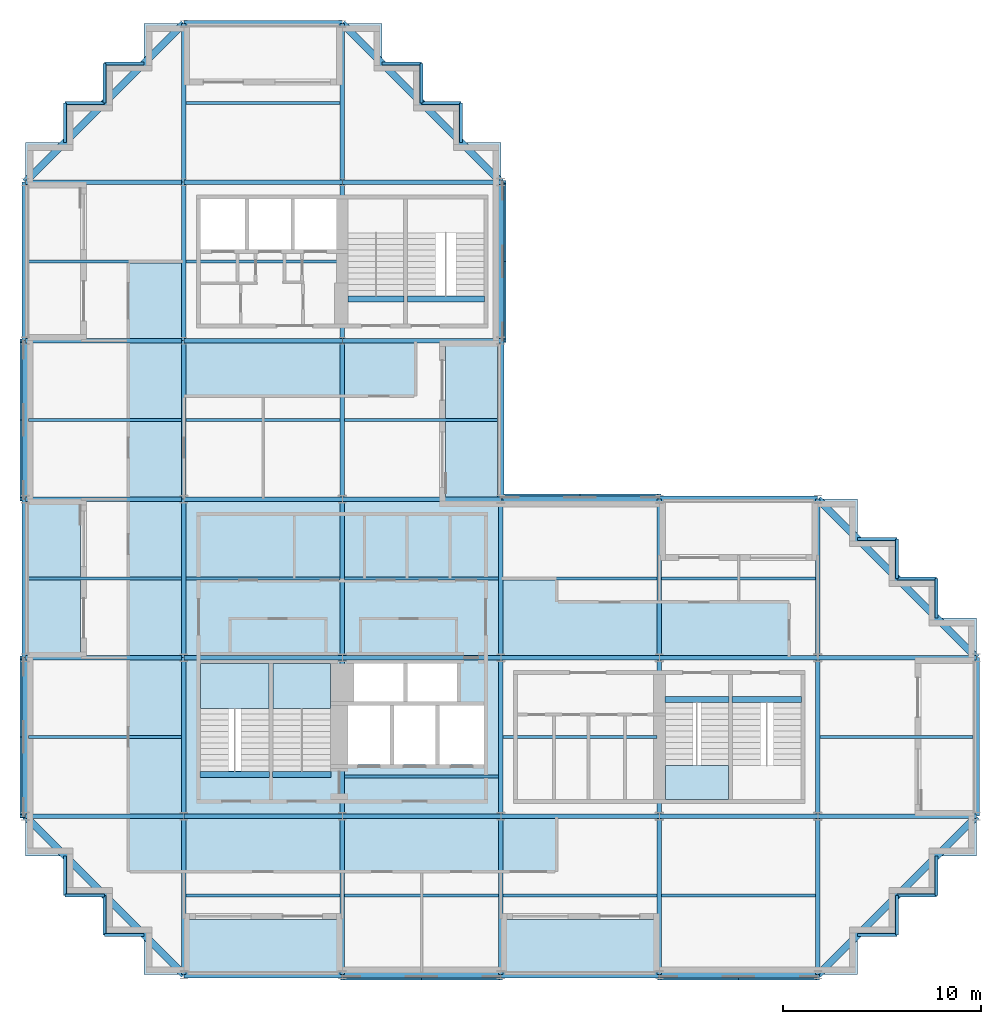
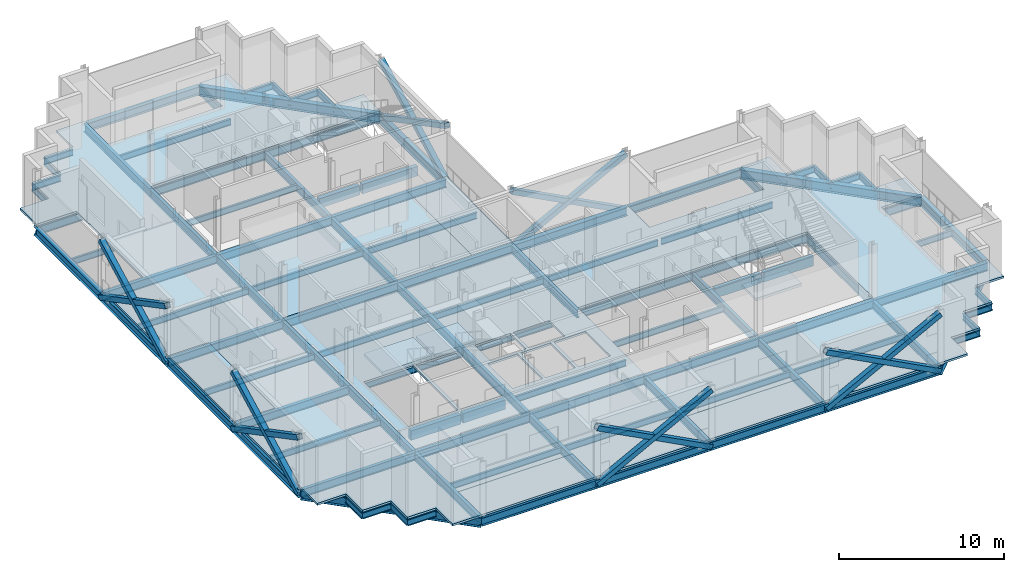
# One storey, part 3 of 10: 106 beams, 12 members, 9 slabs, 3 elements without a shape of their own.
"""IFC4 building model written with IfcOpenShell, lengths in metres."""

from ifc_helpers import new_model, si_unit, direction, frame, origin, origin_2d, place, context, subcontext, project, spatial, polyline, rectangle, hollow_rectangle, i_section, outline, extrude, material, layer, layer_set, material_profile, profile_set, type_object, element, aggregate, save


model = new_model("IFC4")

# Units and contexts
model_context = context("Model", 3, precision=1e-05, world=origin(), true_north=direction((0.0, 1.0)))
body_context = subcontext(model_context, "Body", "Model", "MODEL_VIEW")
ifc_project = project(units=[si_unit("LENGTHUNIT", "METRE"), si_unit("AREAUNIT", "SQUARE_METRE"), si_unit("VOLUMEUNIT", "CUBIC_METRE"), si_unit("PLANEANGLEUNIT", "RADIAN"), si_unit("MASSUNIT", "GRAM", prefix="KILO")], contexts=[model_context])

# Site, building, storey
site_placement = place(None, origin())
site = spatial("IfcSite", under=ifc_project, at=site_placement, CompositionType="ELEMENT")
building_placement = place(site_placement, origin())
building = spatial("IfcBuilding", under=site, at=building_placement, Name="Immortelle Media Tower", CompositionType="ELEMENT")
storey_placement = place(building_placement, frame((0.0, 0.0, 162.0)))
storey = spatial("IfcBuildingStorey", under=building, at=storey_placement, Name="L33", CompositionType="ELEMENT", Elevation=162.0)

# Members
ifc_material_1 = material(Name="Steel ASTM A500 Gr C", Category="steel")
ifc_material_profile_1 = material_profile(ifc_material_1, hollow_rectangle(XDim=0.35595703125, YDim=0.35595703125, WallThickness=0.011962890625, at=origin_2d()), Name="HSS14x14x1/2 brace")
ifc_profile_set_1 = profile_set([ifc_material_profile_1], Name="Steel ASTM A500 Gr C")
member_type = type_object("IfcMemberType", Name="HSS14x14x1/2 brace", PredefinedType="BRACE", material=ifc_profile_set_1)
for number, where, z_axis, x_axis, name in (
    (1, (16.0, -0.087890625, -0.4560546875), (0.885400126936, 0.0, 0.464829662588), (0.0, 1.0, 0.0), "Brace A/3-4 A"),
    (2, (16.0, -0.087890625, 3.743896484375), (0.885400126936, 0.0, -0.464829662588), (0.0, 1.0, 0.0), "Brace A/3-4 B"),
    (3, (32.0, -0.087890625, -0.4560546875), (0.885400126936, 0.0, 0.464829662588), (0.0, 1.0, 0.0), "Brace A/5-6 A"),
    (4, (32.0, -0.087890625, 3.743896484375), (0.885400126936, 0.0, -0.464829662588), (0.0, 1.0, 0.0), "Brace A/5-6 B"),
    (5, (32.0, 24.087890625, -0.4560546875), (-0.885400126936, 0.0, 0.464829662588), (0.0, -1.0, 0.0), "Brace D/4-5 A"),
    (6, (32.0, 24.087890625, 3.743896484375), (-0.885400126936, 0.0, -0.464829662588), (0.0, -1.0, 0.0), "Brace D/4-5 B"),
    (7, (24.087890625, 32.0, -0.4560546875), (0.0, 0.885400126936, 0.464829662588), (-1.0, 0.0, 0.0), "Brace 4/E-F A"),
    (8, (24.087890625, 32.0, 3.743896484375), (0.0, 0.885400126936, -0.464829662588), (-1.0, 0.0, 0.0), "Brace 4/E-F B"),
    (9, (-0.087890625, 32.0, -0.4560546875), (0.0, -0.885400126936, 0.464829662588), (1.0, 0.0, 0.0), "Brace 1/D-E A"),
    (10, (-0.087890625, 32.0, 3.743896484375), (0.0, -0.885400126936, -0.464829662588), (1.0, 0.0, 0.0), "Brace 1/D-E B"),
    (11, (-0.087890625, 16.0, -0.4560546875), (0.0, -0.885400126936, 0.464829662588), (1.0, 0.0, 0.0), "Brace 1/B-C A"),
    (12, (-0.087890625, 16.0, 3.743896484375), (0.0, -0.885400126936, -0.464829662588), (1.0, 0.0, 0.0), "Brace 1/B-C B"),
):
    element("IfcMember", number, at=place(storey_placement, frame(where, z_axis=z_axis, x_axis=x_axis)), inside=storey, type_object=member_type, Name=name, PredefinedType="BRACE", context=body_context, shape_type="SweptSolid", body=[
        extrude(hollow_rectangle(XDim=0.35595703125, YDim=0.35595703125, WallThickness=0.011962890625, at=origin_2d()), origin(), (0.0, 0.0, 1.0), 9.035400390625),
    ])

# Beams
ifc_material_2 = material(Name="Concrete C50/60", Category="concrete")
ifc_material_profile_2 = material_profile(ifc_material_2, rectangle(XDim=0.300048828125, YDim=0.699951171875, at=origin_2d()), Name="RC 300x700")
ifc_profile_set_2 = profile_set([ifc_material_profile_2], Name="Concrete C50/60")
beam_type_1 = type_object("IfcBeamType", Name="Stair trimmer beam 300 x 700", PredefinedType="BEAM", material=ifc_profile_set_2)
beam_1_placement = place(storey_placement, frame((8.830078125, 10.10498046875, -0.5), z_axis=(1.0, 0.0, 0.0), x_axis=(0.0, 1.0, 0.0)))
element("IfcBeam", 13, at=beam_1_placement, inside=storey, type_object=beam_type_1, Name="Stair trimmer beam SW1", PredefinedType="BEAM", context=body_context, shape_type="SweptSolid", body=[
    extrude(rectangle(XDim=0.300048828125, YDim=0.699951171875, at=origin_2d()), origin(), (0.0, 0.0, 1.0), 3.489990234375),
])
beam_2_placement = place(storey_placement, frame((12.47998046875, 10.10498046875, -0.5), z_axis=(1.0, 0.0, 0.0), x_axis=(0.0, 1.0, 0.0)))
element("IfcBeam", 14, at=beam_2_placement, inside=storey, type_object=beam_type_1, Name="Stair trimmer beam SW2", PredefinedType="BEAM", context=body_context, shape_type="SweptSolid", body=[
    extrude(rectangle(XDim=0.300048828125, YDim=0.699951171875, at=origin_2d()), origin(), (0.0, 0.0, 1.0), 2.93994140625),
])
beam_3_placement = place(storey_placement, frame((32.280029296875, 13.89501953125, -0.5), z_axis=(1.0, 0.0, 0.0), x_axis=(0.0, 1.0, 0.0)))
element("IfcBeam", 15, at=beam_3_placement, inside=storey, type_object=beam_type_1, Name="Stair trimmer beam SE1", PredefinedType="BEAM", context=body_context, shape_type="SweptSolid", body=[
    extrude(rectangle(XDim=0.300048828125, YDim=0.699951171875, at=origin_2d()), origin(), (0.0, 0.0, 1.0), 3.239990234375),
])
beam_4_placement = place(storey_placement, frame((35.679931640625, 13.89501953125, -0.5), z_axis=(1.0, 0.0, 0.0), x_axis=(0.0, 1.0, 0.0)))
element("IfcBeam", 16, at=beam_4_placement, inside=storey, type_object=beam_type_1, Name="Stair trimmer beam SE2", PredefinedType="BEAM", context=body_context, shape_type="SweptSolid", body=[
    extrude(rectangle(XDim=0.300048828125, YDim=0.699951171875, at=origin_2d()), origin(), (0.0, 0.0, 1.0), 3.489990234375),
])
beam_5_placement = place(storey_placement, frame((16.280029296875, 34.10498046875, -0.5), z_axis=(1.0, 0.0, 0.0), x_axis=(0.0, 1.0, 0.0)))
element("IfcBeam", 17, at=beam_5_placement, inside=storey, type_object=beam_type_1, Name="Stair trimmer beam NW1", PredefinedType="BEAM", context=body_context, shape_type="SweptSolid", body=[
    extrude(rectangle(XDim=0.300048828125, YDim=0.699951171875, at=origin_2d()), origin(), (0.0, 0.0, 1.0), 2.840087890625),
])
beam_6_placement = place(storey_placement, frame((19.280029296875, 34.10498046875, -0.5), z_axis=(1.0, 0.0, 0.0), x_axis=(0.0, 1.0, 0.0)))
element("IfcBeam", 18, at=beam_6_placement, inside=storey, type_object=beam_type_1, Name="Stair trimmer beam NW2", PredefinedType="BEAM", context=body_context, shape_type="SweptSolid", body=[
    extrude(rectangle(XDim=0.300048828125, YDim=0.699951171875, at=origin_2d()), origin(), (0.0, 0.0, 1.0), 3.889892578125),
])
ifc_material_3 = material(Name="Steel ASTM A992 Gr 50", Category="steel")
ifc_material_profile_3 = material_profile(ifc_material_3, i_section(OverallWidth=0.153076171875, OverallDepth=0.455078125, WebThickness=0.008056640625, FlangeThickness=0.012939453125, at=origin_2d()), Name="W18x40")
ifc_profile_set_3 = profile_set([ifc_material_profile_3], Name="Steel ASTM A992 Gr 50")
beam_type_2 = type_object("IfcBeamType", Name="W18x40 secondary beam", PredefinedType="JOIST", material=ifc_profile_set_3)
for number, where, z_axis, x_axis, name in (
    (19, (8.114013671875, 4.0, -0.37744140625), (1.0, 0.0, 0.0), (0.0, 1.0, 0.0), "Beam A-B/2-3"),
    (20, (16.114013671875, 4.0, -0.37744140625), (1.0, 0.0, 0.0), (0.0, 1.0, 0.0), "Beam A-B/3-4"),
    (21, (24.114013671875, 4.0, -0.37744140625), (1.0, 0.0, 0.0), (0.0, 1.0, 0.0), "Beam A-B/4-5"),
    (22, (32.114013671875, 4.0, -0.37744140625), (1.0, 0.0, 0.0), (0.0, 1.0, 0.0), "Beam A-B/5-6"),
):
    element("IfcBeam", number, at=place(storey_placement, frame(where, z_axis=z_axis, x_axis=x_axis)), inside=storey, type_object=beam_type_2, Name=name, PredefinedType="JOIST", context=body_context, shape_type="SweptSolid", body=[
        extrude(i_section(OverallWidth=0.153076171875, OverallDepth=0.455078125, WebThickness=0.008056640625, FlangeThickness=0.012939453125, at=origin_2d()), origin(), (0.0, 0.0, 1.0), 7.77197265625),
    ])
beam_7_placement = place(storey_placement, frame((0.162109375, 12.0, -0.37744140625), z_axis=(1.0, 0.0, 0.0), x_axis=(0.0, 1.0, 0.0)))
element("IfcBeam", 23, at=beam_7_placement, inside=storey, type_object=beam_type_2, Name="Beam B-C/1-2", PredefinedType="JOIST", context=body_context, shape_type="SweptSolid", body=[
    extrude(i_section(OverallWidth=0.153076171875, OverallDepth=0.455078125, WebThickness=0.008056640625, FlangeThickness=0.012939453125, at=origin_2d()), origin(), (0.0, 0.0, 1.0), 7.723876953125),
])
for number, where, z_axis, x_axis, name in (
    (24, (16.114013671875, 10.0, -0.37744140625), (1.0, 0.0, 0.0), (0.0, 1.0, 0.0), "Beam B-C/3-4"),
    (25, (24.114013671875, 12.0, -0.37744140625), (1.0, 0.0, 0.0), (0.0, 1.0, 0.0), "Beam B-C/4-5"),
):
    element("IfcBeam", number, at=place(storey_placement, frame(where, z_axis=z_axis, x_axis=x_axis)), inside=storey, type_object=beam_type_2, Name=name, PredefinedType="JOIST", context=body_context, shape_type="SweptSolid", body=[
        extrude(i_section(OverallWidth=0.153076171875, OverallDepth=0.455078125, WebThickness=0.008056640625, FlangeThickness=0.012939453125, at=origin_2d()), origin(), (0.0, 0.0, 1.0), 7.77197265625),
    ])
for number, where, z_axis, x_axis, name in (
    (26, (40.114013671875, 12.0, -0.37744140625), (1.0, 0.0, 0.0), (0.0, 1.0, 0.0), "Beam B-C/6-7"),
    (27, (0.162109375, 20.0, -0.37744140625), (1.0, 0.0, 0.0), (0.0, 1.0, 0.0), "Beam C-D/1-2"),
):
    element("IfcBeam", number, at=place(storey_placement, frame(where, z_axis=z_axis, x_axis=x_axis)), inside=storey, type_object=beam_type_2, Name=name, PredefinedType="JOIST", context=body_context, shape_type="SweptSolid", body=[
        extrude(i_section(OverallWidth=0.153076171875, OverallDepth=0.455078125, WebThickness=0.008056640625, FlangeThickness=0.012939453125, at=origin_2d()), origin(), (0.0, 0.0, 1.0), 7.723876953125),
    ])
for number, where, z_axis, x_axis, name in (
    (28, (8.114013671875, 20.0, -0.37744140625), (1.0, 0.0, 0.0), (0.0, 1.0, 0.0), "Beam C-D/2-3"),
    (29, (16.114013671875, 20.0, -0.37744140625), (1.0, 0.0, 0.0), (0.0, 1.0, 0.0), "Beam C-D/3-4"),
    (30, (24.114013671875, 20.0, -0.37744140625), (1.0, 0.0, 0.0), (0.0, 1.0, 0.0), "Beam C-D/4-5"),
    (31, (32.114013671875, 20.0, -0.37744140625), (1.0, 0.0, 0.0), (0.0, 1.0, 0.0), "Beam C-D/5-6"),
):
    element("IfcBeam", number, at=place(storey_placement, frame(where, z_axis=z_axis, x_axis=x_axis)), inside=storey, type_object=beam_type_2, Name=name, PredefinedType="JOIST", context=body_context, shape_type="SweptSolid", body=[
        extrude(i_section(OverallWidth=0.153076171875, OverallDepth=0.455078125, WebThickness=0.008056640625, FlangeThickness=0.012939453125, at=origin_2d()), origin(), (0.0, 0.0, 1.0), 7.77197265625),
    ])
beam_8_placement = place(storey_placement, frame((0.162109375, 28.0, -0.37744140625), z_axis=(1.0, 0.0, 0.0), x_axis=(0.0, 1.0, 0.0)))
element("IfcBeam", 32, at=beam_8_placement, inside=storey, type_object=beam_type_2, Name="Beam D-E/1-2", PredefinedType="JOIST", context=body_context, shape_type="SweptSolid", body=[
    extrude(i_section(OverallWidth=0.153076171875, OverallDepth=0.455078125, WebThickness=0.008056640625, FlangeThickness=0.012939453125, at=origin_2d()), origin(), (0.0, 0.0, 1.0), 7.723876953125),
])
beam_9_placement = place(storey_placement, frame((8.114013671875, 28.0, -0.37744140625), z_axis=(1.0, 0.0, 0.0), x_axis=(0.0, 1.0, 0.0)))
element("IfcBeam", 33, at=beam_9_placement, inside=storey, type_object=beam_type_2, Name="Beam D-E/2-3", PredefinedType="JOIST", context=body_context, shape_type="SweptSolid", body=[
    extrude(i_section(OverallWidth=0.153076171875, OverallDepth=0.455078125, WebThickness=0.008056640625, FlangeThickness=0.012939453125, at=origin_2d()), origin(), (0.0, 0.0, 1.0), 7.77197265625),
])
for number, where, z_axis, x_axis, name in (
    (34, (16.114013671875, 28.0, -0.37744140625), (1.0, 0.0, 0.0), (0.0, 1.0, 0.0), "Beam D-E/3-4"),
    (35, (0.162109375, 36.0, -0.37744140625), (1.0, 0.0, 0.0), (0.0, 1.0, 0.0), "Beam E-F/1-2"),
):
    element("IfcBeam", number, at=place(storey_placement, frame(where, z_axis=z_axis, x_axis=x_axis)), inside=storey, type_object=beam_type_2, Name=name, PredefinedType="JOIST", context=body_context, shape_type="SweptSolid", body=[
        extrude(i_section(OverallWidth=0.153076171875, OverallDepth=0.455078125, WebThickness=0.008056640625, FlangeThickness=0.012939453125, at=origin_2d()), origin(), (0.0, 0.0, 1.0), 7.723876953125),
    ])
for number, where, z_axis, x_axis, name in (
    (36, (8.114013671875, 36.0, -0.37744140625), (1.0, 0.0, 0.0), (0.0, 1.0, 0.0), "Beam E-F/2-3"),
    (37, (8.114013671875, 44.0, -0.37744140625), (1.0, 0.0, 0.0), (0.0, 1.0, 0.0), "Beam F-G/2-3"),
):
    element("IfcBeam", number, at=place(storey_placement, frame(where, z_axis=z_axis, x_axis=x_axis)), inside=storey, type_object=beam_type_2, Name=name, PredefinedType="JOIST", context=body_context, shape_type="SweptSolid", body=[
        extrude(i_section(OverallWidth=0.153076171875, OverallDepth=0.455078125, WebThickness=0.008056640625, FlangeThickness=0.012939453125, at=origin_2d()), origin(), (0.0, 0.0, 1.0), 7.77197265625),
    ])
ifc_material_profile_4 = material_profile(ifc_material_3, i_section(OverallWidth=0.153076171875, OverallDepth=0.455078125, WebThickness=0.008056640625, FlangeThickness=0.012939453125, at=origin_2d()), Name="W18x40")
ifc_profile_set_4 = profile_set([ifc_material_profile_4], Name="Steel ASTM A992 Gr 50")
beam_type_3 = type_object("IfcBeamType", Name="W18x40 serration edge beam", PredefinedType="SPANDREL", material=ifc_profile_set_4)
for number, where, z_axis, x_axis, name in (
    (38, (6.0, 2.0, -0.37744140625), (-1.0, 0.0, 0.0), (0.0, -1.0, 0.0), "Corner edge beam 1 at 1/A"),
    (39, (4.0, 2.0, -0.37744140625), (0.0, 1.0, 0.0), (-1.0, 0.0, 0.0), "Corner edge beam 2 at 1/A"),
    (40, (4.0, 4.0, -0.37744140625), (-1.0, 0.0, 0.0), (0.0, -1.0, 0.0), "Corner edge beam 3 at 1/A"),
    (41, (2.0, 4.0, -0.37744140625), (0.0, 1.0, 0.0), (-1.0, 0.0, 0.0), "Corner edge beam 4 at 1/A"),
    (42, (2.0, 42.0, -0.37744140625), (0.0, 1.0, 0.0), (-1.0, 0.0, 0.0), "Corner edge beam 1 at 1/G"),
    (43, (2.0, 44.0, -0.37744140625), (1.0, 0.0, 0.0), (0.0, 1.0, 0.0), "Corner edge beam 2 at 1/G"),
    (44, (4.0, 44.0, -0.37744140625), (0.0, 1.0, 0.0), (-1.0, 0.0, 0.0), "Corner edge beam 3 at 1/G"),
    (45, (4.0, 46.0, -0.37744140625), (1.0, 0.0, 0.0), (0.0, 1.0, 0.0), "Corner edge beam 4 at 1/G"),
    (46, (18.0, 46.0, -0.37744140625), (1.0, 0.0, 0.0), (0.0, 1.0, 0.0), "Corner edge beam 1 at 4/G"),
    (47, (20.0, 46.0, -0.37744140625), (0.0, -1.0, 0.0), (1.0, 0.0, 0.0), "Corner edge beam 2 at 4/G"),
    (48, (20.0, 44.0, -0.37744140625), (1.0, 0.0, 0.0), (0.0, 1.0, 0.0), "Corner edge beam 3 at 4/G"),
    (49, (22.0, 44.0, -0.37744140625), (0.0, -1.0, 0.0), (1.0, 0.0, 0.0), "Corner edge beam 4 at 4/G"),
    (50, (46.0, 6.0, -0.37744140625), (0.0, -1.0, 0.0), (1.0, 0.0, 0.0), "Corner edge beam 1 at 7/A"),
    (51, (46.0, 4.0, -0.37744140625), (-1.0, 0.0, 0.0), (0.0, -1.0, 0.0), "Corner edge beam 2 at 7/A"),
    (52, (44.0, 4.0, -0.37744140625), (0.0, -1.0, 0.0), (1.0, 0.0, 0.0), "Corner edge beam 3 at 7/A"),
    (53, (44.0, 2.0, -0.37744140625), (-1.0, 0.0, 0.0), (0.0, -1.0, 0.0), "Corner edge beam 4 at 7/A"),
    (54, (42.0, 22.0, -0.37744140625), (1.0, 0.0, 0.0), (0.0, 1.0, 0.0), "Corner edge beam 1 at 7/D"),
    (55, (44.0, 22.0, -0.37744140625), (0.0, -1.0, 0.0), (1.0, 0.0, 0.0), "Corner edge beam 2 at 7/D"),
    (56, (44.0, 20.0, -0.37744140625), (1.0, 0.0, 0.0), (0.0, 1.0, 0.0), "Corner edge beam 3 at 7/D"),
    (57, (46.0, 20.0, -0.37744140625), (0.0, -1.0, 0.0), (1.0, 0.0, 0.0), "Corner edge beam 4 at 7/D"),
):
    element("IfcBeam", number, at=place(storey_placement, frame(where, z_axis=z_axis, x_axis=x_axis)), inside=storey, type_object=beam_type_3, Name=name, PredefinedType="SPANDREL", context=body_context, shape_type="SweptSolid", body=[
        extrude(i_section(OverallWidth=0.153076171875, OverallDepth=0.455078125, WebThickness=0.008056640625, FlangeThickness=0.012939453125, at=origin_2d()), origin(), (0.0, 0.0, 1.0), 2.0),
    ])
ifc_material_profile_5 = material_profile(ifc_material_3, i_section(OverallWidth=0.323974609375, OverallDepth=0.612060546875, WebThickness=0.012939453125, FlangeThickness=0.01904296875, at=origin_2d()), Name="W24x104")
ifc_profile_set_5 = profile_set([ifc_material_profile_5], Name="Steel ASTM A992 Gr 50")
beam_type_4 = type_object("IfcBeamType", Name="W24x104 perimeter girder", PredefinedType="SPANDREL", material=ifc_profile_set_5)
for number, where, z_axis, x_axis, name in (
    (58, (0.0, 8.0, -0.4560546875), (0.0, 1.0, 0.0), (-1.0, 0.0, 0.0), "Girder 1/B-C"),
    (59, (0.0, 16.0, -0.4560546875), (0.0, 1.0, 0.0), (-1.0, 0.0, 0.0), "Girder 1/C-D"),
    (60, (0.0, 24.0, -0.4560546875), (0.0, 1.0, 0.0), (-1.0, 0.0, 0.0), "Girder 1/D-E"),
    (61, (0.0, 32.0, -0.4560546875), (0.0, 1.0, 0.0), (-1.0, 0.0, 0.0), "Girder 1/E-F"),
    (62, (8.0, 0.0, -0.4560546875), (1.0, 0.0, 0.0), (0.0, 1.0, 0.0), "Girder A/2-3"),
    (63, (8.0, 48.0, -0.4560546875), (1.0, 0.0, 0.0), (0.0, 1.0, 0.0), "Girder G/2-3"),
    (64, (16.0, 0.0, -0.4560546875), (1.0, 0.0, 0.0), (0.0, 1.0, 0.0), "Girder A/3-4"),
    (65, (24.0, 0.0, -0.4560546875), (1.0, 0.0, 0.0), (0.0, 1.0, 0.0), "Girder A/4-5"),
    (66, (24.0, 24.0, -0.4560546875), (1.0, 0.0, 0.0), (0.0, 1.0, 0.0), "Girder D/4-5"),
    (67, (24.0, 24.0, -0.4560546875), (0.0, 1.0, 0.0), (-1.0, 0.0, 0.0), "Girder 4/D-E"),
    (68, (24.0, 32.0, -0.4560546875), (0.0, 1.0, 0.0), (-1.0, 0.0, 0.0), "Girder 4/E-F"),
    (69, (32.0, 0.0, -0.4560546875), (1.0, 0.0, 0.0), (0.0, 1.0, 0.0), "Girder A/5-6"),
    (70, (32.0, 24.0, -0.4560546875), (1.0, 0.0, 0.0), (0.0, 1.0, 0.0), "Girder D/5-6"),
    (71, (48.0, 8.0, -0.4560546875), (0.0, 1.0, 0.0), (-1.0, 0.0, 0.0), "Girder 7/B-C"),
):
    element("IfcBeam", number, at=place(storey_placement, frame(where, z_axis=z_axis, x_axis=x_axis)), inside=storey, type_object=beam_type_4, Name=name, PredefinedType="SPANDREL", context=body_context, shape_type="SweptSolid", body=[
        extrude(i_section(OverallWidth=0.323974609375, OverallDepth=0.612060546875, WebThickness=0.012939453125, FlangeThickness=0.01904296875, at=origin_2d()), origin(), (0.0, 0.0, 1.0), 8.0),
    ])
ifc_material_profile_6 = material_profile(ifc_material_3, i_section(OverallWidth=0.22802734375, OverallDepth=0.60205078125, WebThickness=0.010986328125, FlangeThickness=0.014892578125, at=origin_2d()), Name="W24x68")
ifc_profile_set_6 = profile_set([ifc_material_profile_6], Name="Steel ASTM A992 Gr 50")
beam_type_5 = type_object("IfcBeamType", Name="W24x68 girder", PredefinedType="BEAM", material=ifc_profile_set_6)
for number, where, z_axis, x_axis, name in (
    (72, (0.0, 8.0, -0.450927734375), (1.0, 0.0, 0.0), (0.0, 1.0, 0.0), "Girder B/1-2"),
    (73, (0.0, 16.0, -0.450927734375), (1.0, 0.0, 0.0), (0.0, 1.0, 0.0), "Girder C/1-2"),
    (74, (0.0, 24.0, -0.450927734375), (1.0, 0.0, 0.0), (0.0, 1.0, 0.0), "Girder D/1-2"),
    (75, (0.0, 32.0, -0.450927734375), (1.0, 0.0, 0.0), (0.0, 1.0, 0.0), "Girder E/1-2"),
    (76, (0.0, 40.0, -0.450927734375), (1.0, 0.0, 0.0), (0.0, 1.0, 0.0), "Girder F/1-2"),
    (77, (8.0, 0.0, -0.450927734375), (0.0, 1.0, 0.0), (-1.0, 0.0, 0.0), "Girder 2/A-B"),
    (78, (8.0, 8.0, -0.450927734375), (1.0, 0.0, 0.0), (0.0, 1.0, 0.0), "Girder B/2-3"),
    (79, (8.0, 8.0, -0.450927734375), (0.0, 1.0, 0.0), (-1.0, 0.0, 0.0), "Girder 2/B-C"),
    (80, (8.0, 16.0, -0.450927734375), (1.0, 0.0, 0.0), (0.0, 1.0, 0.0), "Girder C/2-3"),
    (81, (8.0, 16.0, -0.450927734375), (0.0, 1.0, 0.0), (-1.0, 0.0, 0.0), "Girder 2/C-D"),
    (82, (8.0, 24.0, -0.450927734375), (1.0, 0.0, 0.0), (0.0, 1.0, 0.0), "Girder D/2-3"),
    (83, (8.0, 24.0, -0.450927734375), (0.0, 1.0, 0.0), (-1.0, 0.0, 0.0), "Girder 2/D-E"),
    (84, (8.0, 32.0, -0.450927734375), (1.0, 0.0, 0.0), (0.0, 1.0, 0.0), "Girder E/2-3"),
    (85, (8.0, 32.0, -0.450927734375), (0.0, 1.0, 0.0), (-1.0, 0.0, 0.0), "Girder 2/E-F"),
    (86, (8.0, 40.0, -0.450927734375), (1.0, 0.0, 0.0), (0.0, 1.0, 0.0), "Girder F/2-3"),
    (87, (8.0, 40.0, -0.450927734375), (0.0, 1.0, 0.0), (-1.0, 0.0, 0.0), "Girder 2/F-G"),
    (88, (16.0, 0.0, -0.450927734375), (0.0, 1.0, 0.0), (-1.0, 0.0, 0.0), "Girder 3/A-B"),
    (89, (16.0, 8.0, -0.450927734375), (1.0, 0.0, 0.0), (0.0, 1.0, 0.0), "Girder B/3-4"),
    (90, (16.0, 8.0, -0.450927734375), (0.0, 1.0, 0.0), (-1.0, 0.0, 0.0), "Girder 3/B-C"),
    (91, (16.0, 16.0, -0.450927734375), (1.0, 0.0, 0.0), (0.0, 1.0, 0.0), "Girder C/3-4"),
    (92, (16.0, 16.0, -0.450927734375), (0.0, 1.0, 0.0), (-1.0, 0.0, 0.0), "Girder 3/C-D"),
    (93, (16.0, 24.0, -0.450927734375), (1.0, 0.0, 0.0), (0.0, 1.0, 0.0), "Girder D/3-4"),
    (94, (16.0, 24.0, -0.450927734375), (0.0, 1.0, 0.0), (-1.0, 0.0, 0.0), "Girder 3/D-E"),
    (95, (16.0, 32.0, -0.450927734375), (1.0, 0.0, 0.0), (0.0, 1.0, 0.0), "Girder E/3-4"),
    (96, (16.0, 32.0, -0.450927734375), (0.0, 1.0, 0.0), (-1.0, 0.0, 0.0), "Girder 3/E-F"),
    (97, (16.0, 40.0, -0.450927734375), (1.0, 0.0, 0.0), (0.0, 1.0, 0.0), "Girder F/3-4"),
    (98, (16.0, 40.0, -0.450927734375), (0.0, 1.0, 0.0), (-1.0, 0.0, 0.0), "Girder 3/F-G"),
    (99, (24.0, 0.0, -0.450927734375), (0.0, 1.0, 0.0), (-1.0, 0.0, 0.0), "Girder 4/A-B"),
    (100, (24.0, 8.0, -0.450927734375), (1.0, 0.0, 0.0), (0.0, 1.0, 0.0), "Girder B/4-5"),
    (101, (24.0, 8.0, -0.450927734375), (0.0, 1.0, 0.0), (-1.0, 0.0, 0.0), "Girder 4/B-C"),
    (102, (24.0, 16.0, -0.450927734375), (1.0, 0.0, 0.0), (0.0, 1.0, 0.0), "Girder C/4-5"),
    (103, (24.0, 16.0, -0.450927734375), (0.0, 1.0, 0.0), (-1.0, 0.0, 0.0), "Girder 4/C-D"),
    (104, (32.0, 0.0, -0.450927734375), (0.0, 1.0, 0.0), (-1.0, 0.0, 0.0), "Girder 5/A-B"),
    (105, (32.0, 8.0, -0.450927734375), (1.0, 0.0, 0.0), (0.0, 1.0, 0.0), "Girder B/5-6"),
    (106, (32.0, 8.0, -0.450927734375), (0.0, 1.0, 0.0), (-1.0, 0.0, 0.0), "Girder 5/B-C"),
    (107, (32.0, 16.0, -0.450927734375), (1.0, 0.0, 0.0), (0.0, 1.0, 0.0), "Girder C/5-6"),
    (108, (32.0, 16.0, -0.450927734375), (0.0, 1.0, 0.0), (-1.0, 0.0, 0.0), "Girder 5/C-D"),
    (109, (40.0, 0.0, -0.450927734375), (0.0, 1.0, 0.0), (-1.0, 0.0, 0.0), "Girder 6/A-B"),
    (110, (40.0, 8.0, -0.450927734375), (1.0, 0.0, 0.0), (0.0, 1.0, 0.0), "Girder B/6-7"),
    (111, (40.0, 8.0, -0.450927734375), (0.0, 1.0, 0.0), (-1.0, 0.0, 0.0), "Girder 6/B-C"),
    (112, (40.0, 16.0, -0.450927734375), (1.0, 0.0, 0.0), (0.0, 1.0, 0.0), "Girder C/6-7"),
    (113, (40.0, 16.0, -0.450927734375), (0.0, 1.0, 0.0), (-1.0, 0.0, 0.0), "Girder 6/C-D"),
):
    element("IfcBeam", number, at=place(storey_placement, frame(where, z_axis=z_axis, x_axis=x_axis)), inside=storey, type_object=beam_type_5, Name=name, PredefinedType="BEAM", context=body_context, shape_type="SweptSolid", body=[
        extrude(i_section(OverallWidth=0.22802734375, OverallDepth=0.60205078125, WebThickness=0.010986328125, FlangeThickness=0.014892578125, at=origin_2d()), origin(), (0.0, 0.0, 1.0), 8.0),
    ])
ifc_material_profile_7 = material_profile(ifc_material_3, i_section(OverallWidth=0.35595703125, OverallDepth=0.696044921875, WebThickness=0.014892578125, FlangeThickness=0.02490234375, at=origin_2d()), Name="W27x146")
ifc_profile_set_7 = profile_set([ifc_material_profile_7], Name="Steel ASTM A992 Gr 50")
beam_type_6 = type_object("IfcBeamType", Name="W27x146 corner girder", PredefinedType="SPANDREL", material=ifc_profile_set_7)
for number, where, z_axis, x_axis, name in (
    (114, (8.0, 0.0, -0.498046875), (-0.707106781187, 0.707106781187, 0.0), (-0.707106781187, -0.707106781187, 0.0), "Corner girder at 1/A"),
    (115, (0.0, 40.0, -0.498046875), (0.707106781187, 0.707106781187, 0.0), (-0.707106781187, 0.707106781187, 0.0), "Corner girder at 1/G"),
    (116, (16.0, 48.0, -0.498046875), (0.707106781187, -0.707106781187, 0.0), (0.707106781187, 0.707106781187, 0.0), "Corner girder at 4/G"),
    (117, (48.0, 8.0, -0.498046875), (-0.707106781187, -0.707106781187, 0.0), (0.707106781187, -0.707106781187, 0.0), "Corner girder at 7/A"),
    (118, (40.0, 24.0, -0.498046875), (0.707106781187, -0.707106781187, 0.0), (0.707106781187, 0.707106781187, 0.0), "Corner girder at 7/D"),
):
    element("IfcBeam", number, at=place(storey_placement, frame(where, z_axis=z_axis, x_axis=x_axis)), inside=storey, type_object=beam_type_6, Name=name, PredefinedType="SPANDREL", context=body_context, shape_type="SweptSolid", body=[
        extrude(i_section(OverallWidth=0.35595703125, OverallDepth=0.696044921875, WebThickness=0.014892578125, FlangeThickness=0.02490234375, at=origin_2d()), origin(), (0.0, 0.0, 1.0), 11.313720703125),
    ])

# Slabs
ifc_material_4 = material(Name="Concrete C50/60 composite deck", Category="concrete")
ifc_layer_1 = layer(ifc_material_4, 0.14990234375)
ifc_layer_set_1 = layer_set([ifc_layer_1], Name="Concrete C50/60 composite deck")
slab_type_1 = type_object("IfcSlabType", Name="Balcony slab 150", PredefinedType="FLOOR", material=ifc_layer_set_1)
slab_1_placement = place(storey_placement, frame((0.0, 0.0, -0.14990234375)))
element("IfcSlab", 119, at=slab_1_placement, inside=storey, type_object=slab_type_1, Name="Balcony slab L33 S0", PredefinedType="FLOOR", context=body_context, shape_type="SweptSolid", body=[
    extrude(outline(polyline([(16.0, 0.0), (16.0, 2.800048828125), (8.0, 2.800048828125), (8.0, 0.0), (16.0, 0.0)])), origin(), (0.0, 0.0, 1.0), 0.14990234375),
])
slab_2_placement = place(storey_placement, frame((0.0, 0.0, -0.14990234375)))
element("IfcSlab", 120, at=slab_2_placement, inside=storey, type_object=slab_type_1, Name="Balcony slab L33 S2", PredefinedType="FLOOR", context=body_context, shape_type="SweptSolid", body=[
    extrude(outline(polyline([(32.0, 0.0), (32.0, 2.800048828125), (24.0, 2.800048828125), (24.0, 0.0), (32.0, 0.0)])), origin(), (0.0, 0.0, 1.0), 0.14990234375),
])
slab_3_placement = place(storey_placement, frame((0.0, 0.0, -0.14990234375)))
element("IfcSlab", 121, at=slab_3_placement, inside=storey, type_object=slab_type_1, Name="Balcony slab L33 E0", PredefinedType="FLOOR", context=body_context, shape_type="SweptSolid", body=[
    extrude(outline(polyline([(24.0, 24.0), (24.0, 32.0), (21.199951171875, 32.0), (21.199951171875, 24.0), (24.0, 24.0)])), origin(), (0.0, 0.0, 1.0), 0.14990234375),
])
slab_4_placement = place(storey_placement, frame((0.0, 0.0, -0.14990234375)))
element("IfcSlab", 122, at=slab_4_placement, inside=storey, type_object=slab_type_1, Name="Balcony slab L33 W2", PredefinedType="FLOOR", context=body_context, shape_type="SweptSolid", body=[
    extrude(outline(polyline([(2.800048828125, 16.0), (2.800048828125, 24.0), (0.0, 24.0), (0.0, 16.0), (2.800048828125, 16.0)])), origin(), (0.0, 0.0, 1.0), 0.14990234375),
])
ifc_layer_2 = layer(ifc_material_2, 0.14990234375)
ifc_layer_set_2 = layer_set([ifc_layer_2], Name="Concrete C50/60")
slab_type_2 = type_object("IfcSlabType", Name="Composite floor slab 150", PredefinedType="FLOOR", material=ifc_layer_set_2)
slab_5_placement = place(storey_placement, frame((0.0, 0.0, -0.14990234375)))
element("IfcSlab", 123, at=slab_5_placement, inside=storey, type_object=slab_type_2, Name="Floor slab L33", PredefinedType="FLOOR", context=body_context, shape_type="SweptSolid", body=[
    extrude(outline(polyline([(6.0, 0.0), (6.0, 2.0), (4.0, 2.0), (4.0, 4.0), (2.0, 4.0), (2.0, 6.0), (0.0, 6.0), (0.0, 16.0), (2.800048828125, 16.0), (2.800048828125, 24.0), (0.0, 24.0), (0.0, 32.0), (2.800048828125, 32.0), (2.800048828125, 40.0), (0.0, 40.0), (0.0, 42.0), (2.0, 42.0), (2.0, 44.0), (4.0, 44.0), (4.0, 46.0), (6.0, 46.0), (6.0, 48.0), (8.0, 48.0), (8.0, 45.199951171875), (16.0, 45.199951171875), (16.0, 48.0), (18.0, 48.0), (18.0, 46.0), (20.0, 46.0), (20.0, 44.0), (22.0, 44.0), (22.0, 42.0), (24.0, 42.0), (24.0, 40.0), (8.0, 40.0), (8.0, 32.0), (21.199951171875, 32.0), (21.199951171875, 24.0), (8.0, 24.0), (8.0, 8.0), (24.0, 8.0), (40.0, 8.0), (40.0, 16.0), (24.0, 16.0), (24.0, 24.0), (32.0, 24.0), (32.0, 21.199951171875), (40.0, 21.199951171875), (40.0, 24.0), (42.0, 24.0), (42.0, 22.0), (44.0, 22.0), (44.0, 20.0), (46.0, 20.0), (46.0, 18.0), (48.0, 18.0), (48.0, 16.0), (45.199951171875, 16.0), (45.199951171875, 8.0), (48.0, 8.0), (48.0, 6.0), (46.0, 6.0), (46.0, 4.0), (44.0, 4.0), (44.0, 2.0), (42.0, 2.0), (42.0, 0.0), (32.0, 0.0), (32.0, 2.800048828125), (24.0, 2.800048828125), (24.0, 0.0), (16.0, 0.0), (16.0, 2.800048828125), (8.0, 2.800048828125), (8.0, 0.0), (6.0, 0.0)])), origin(), (0.0, 0.0, 1.0), 0.14990234375),
])
ifc_layer_3 = layer(ifc_material_2, 0.14990234375)
ifc_layer_set_3 = layer_set([ifc_layer_3], Name="Concrete C50/60")
slab_type_3 = type_object("IfcSlabType", Name="Core floor slab 150", PredefinedType="FLOOR", material=ifc_layer_set_3)
slab_6_placement = place(storey_placement, frame((0.0, 0.0, -0.14990234375)))
element("IfcSlab", 124, at=slab_6_placement, inside=storey, type_object=slab_type_3, Name="Core floor SW", PredefinedType="FLOOR", context=body_context, shape_type="SweptSolid", body=[
    extrude(outline(polyline([(8.0, 8.0), (24.0, 8.0), (24.0, 24.0), (8.0, 24.0), (8.0, 8.0)]), holes=[polyline([(16.60009765625, 13.800048828125), (19.10009765625, 13.800048828125), (19.10009765625, 15.699951171875), (16.60009765625, 15.699951171875), (16.60009765625, 13.800048828125)]), polyline([(19.300048828125, 13.800048828125), (21.800048828125, 13.800048828125), (21.800048828125, 15.699951171875), (19.300048828125, 15.699951171875), (19.300048828125, 13.800048828125)]), polyline([(16.300048828125, 10.60009765625), (18.39990234375, 10.60009765625), (18.39990234375, 13.60009765625), (16.300048828125, 13.60009765625), (16.300048828125, 10.60009765625)]), polyline([(18.60009765625, 10.60009765625), (20.699951171875, 10.60009765625), (20.699951171875, 13.60009765625), (18.60009765625, 13.60009765625), (18.60009765625, 10.60009765625)]), polyline([(20.89990234375, 10.60009765625), (23.14990234375, 10.60009765625), (23.14990234375, 13.60009765625), (20.89990234375, 13.60009765625), (20.89990234375, 10.60009765625)]), polyline([(8.85009765625, 10.27001953125), (12.300048828125, 10.27001953125), (12.300048828125, 15.699951171875), (8.85009765625, 15.699951171875), (8.85009765625, 10.27001953125)]), polyline([(12.5, 10.27001953125), (15.39990234375, 10.27001953125), (15.39990234375, 15.699951171875), (12.5, 15.699951171875), (12.5, 10.27001953125)])]), origin(), (0.0, 0.0, 1.0), 0.14990234375),
])

# Stair, slab
stair_type = type_object("IfcStairType", Name="Stair with flights", PredefinedType="DOUBLE_RETURN_STAIR", material=ifc_material_3)
stair_1_placement = place(storey_placement, origin())
stair_1 = element("IfcStair", 125, at=stair_1_placement, inside=storey, type_object=stair_type, Name="Exit stair SW1", PredefinedType="DOUBLE_RETURN_STAIR")
ifc_material_5 = material(Name="Steel ASTM A572 Gr 50", Category="steel")
ifc_layer_4 = layer(ifc_material_5, 0.199951171875)
ifc_layer_set_4 = layer_set([ifc_layer_4], Name="Steel ASTM A572 Gr 50")
slab_type_4 = type_object("IfcSlabType", Name="Stair landing 200", PredefinedType="LANDING", material=ifc_layer_set_4)
slab_7_placement = place(storey_placement, frame((0.0, 0.0, 1.89990234375)))
slab_7 = element("IfcSlab", 126, at=slab_7_placement, type_object=slab_type_4, Name="ST SW1 landing 1", PredefinedType="LANDING", context=body_context, shape_type="SweptSolid", body=[
    extrude(outline(polyline([(8.85009765625, 13.43994140625), (12.300048828125, 13.43994140625), (12.300048828125, 15.699951171875), (8.85009765625, 15.699951171875), (8.85009765625, 13.43994140625)])), origin(), (0.0, 0.0, 1.0), 0.2001953125),
])
aggregate(stair_1, [slab_7])

stair_2_placement = place(storey_placement, origin())
stair_2 = element("IfcStair", 127, at=stair_2_placement, inside=storey, type_object=stair_type, Name="Exit stair SW2", PredefinedType="DOUBLE_RETURN_STAIR")
slab_8_placement = place(storey_placement, frame((0.0, 0.0, 1.89990234375)))
slab_8 = element("IfcSlab", 128, at=slab_8_placement, type_object=slab_type_4, Name="ST SW2 landing 1", PredefinedType="LANDING", context=body_context, shape_type="SweptSolid", body=[
    extrude(outline(polyline([(12.5, 13.43994140625), (15.39990234375, 13.43994140625), (15.39990234375, 15.699951171875), (12.5, 15.699951171875), (12.5, 13.43994140625)])), origin(), (0.0, 0.0, 1.0), 0.2001953125),
])
aggregate(stair_2, [slab_8])

stair_3_placement = place(storey_placement, origin())
stair_3 = element("IfcStair", 129, at=stair_3_placement, inside=storey, type_object=stair_type, Name="Exit stair SE1", PredefinedType="DOUBLE_RETURN_STAIR")
slab_9_placement = place(storey_placement, frame((0.0, 0.0, 1.89990234375)))
slab_9 = element("IfcSlab", 130, at=slab_9_placement, type_object=slab_type_4, Name="ST SE1 landing 1", PredefinedType="LANDING", context=body_context, shape_type="SweptSolid", body=[
    extrude(outline(polyline([(32.300048828125, 8.85009765625), (35.5, 8.85009765625), (35.5, 10.56005859375), (32.300048828125, 10.56005859375), (32.300048828125, 8.85009765625)])), origin(), (0.0, 0.0, 1.0), 0.2001953125),
])
aggregate(stair_3, [slab_9])

save(model, "model.ifc")
